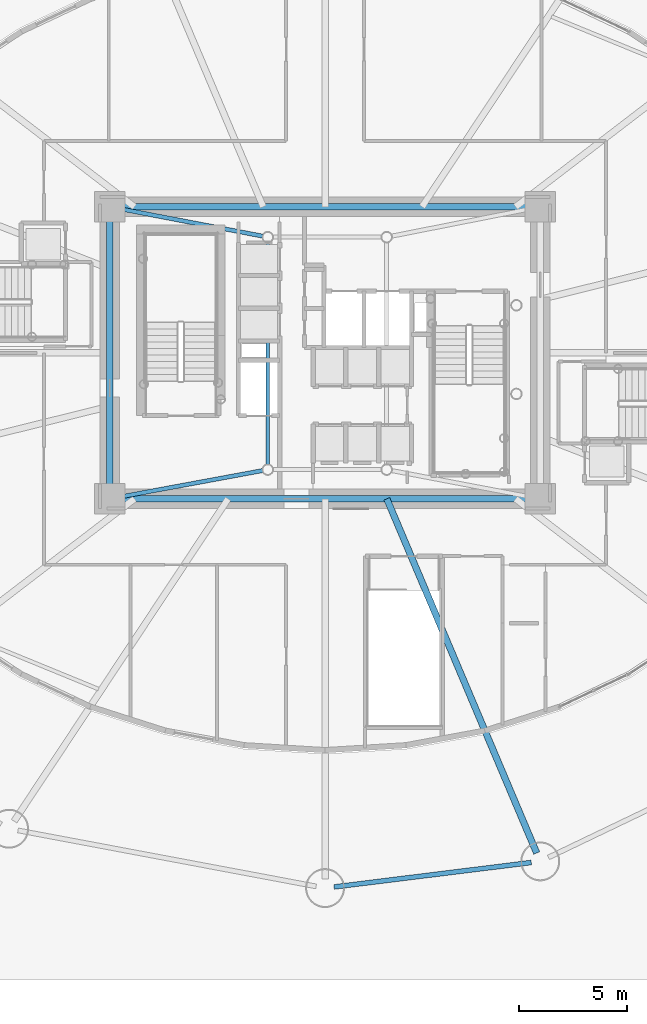
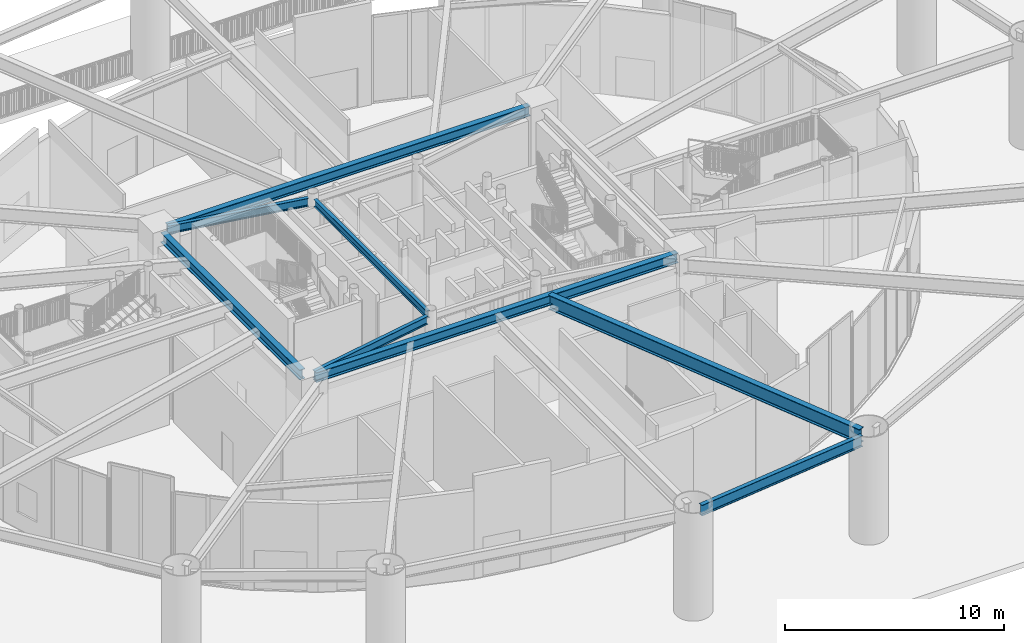
# One storey, part 11 of 46: 8 beams.
"""IFC4 building model written with IfcOpenShell, lengths in metres."""

from ifc_helpers import new_model, si_unit, direction, frame, origin, origin_2d, place, context, subcontext, project, spatial, i_section, extrude, material, material_profile, profile_set, type_object, element, save


model = new_model("IFC4")

# Units and contexts
model_context = context("Model", 3, precision=1e-05, world=origin(), true_north=direction((0.0, 1.0)))
body_context = subcontext(model_context, "Body", "Model", "MODEL_VIEW")
ifc_project = project(units=[si_unit("LENGTHUNIT", "METRE"), si_unit("AREAUNIT", "SQUARE_METRE"), si_unit("VOLUMEUNIT", "CUBIC_METRE"), si_unit("PLANEANGLEUNIT", "RADIAN"), si_unit("MASSUNIT", "GRAM", prefix="KILO")], contexts=[model_context])

# Site, building, storey
site_placement = place(None, origin())
site = spatial("IfcSite", under=ifc_project, at=site_placement, CompositionType="ELEMENT")
building_placement = place(site_placement, origin())
building = spatial("IfcBuilding", under=site, at=building_placement, Name="Linh Dai School and Residence Tower", CompositionType="ELEMENT")
storey_placement = place(building_placement, origin())
storey = spatial("IfcBuildingStorey", under=building, at=storey_placement, Name="L00", CompositionType="ELEMENT", Elevation=0.0)

# Beams
ifc_material = material(Name="Structural Steel S355JR", Category="steel")
ifc_material_profile_1 = material_profile(ifc_material, i_section(OverallWidth=0.219970703125, OverallDepth=0.60009765625, WebThickness=0.011962890625, FlangeThickness=0.01904296875, FilletRadius=0.02392578125, at=origin_2d()), Name="IPE 600")
ifc_profile_set_1 = profile_set([ifc_material_profile_1], Name="Structural Steel S355JR")
beam_type_1 = type_object("IfcBeamType", Name="BM-RB60", PredefinedType="BEAM", material=ifc_profile_set_1)
beam_1_placement = place(storey_placement, frame((36.416748046875, 2.3017578125, 5.39990234375), z_axis=(0.992402470446, 0.123033884169, 0.0), x_axis=(-0.123033884169, 0.992402470446, 0.0)))
element("IfcBeam", 1, at=beam_1_placement, inside=storey, type_object=beam_type_1, Name="L00 Perimeter Elliptical Ring Beam 13", PredefinedType="BEAM", context=body_context, shape_type="SweptSolid", body=[
    extrude(i_section(OverallWidth=0.219970703125, OverallDepth=0.60009765625, WebThickness=0.011962890625, FlangeThickness=0.01904296875, FilletRadius=0.02392578125, at=origin_2d()), origin(), (0.0, 0.0, 1.0), 9.1875),
])
ifc_material_profile_2 = material_profile(ifc_material, i_section(OverallWidth=0.300048828125, OverallDepth=0.550048828125, WebThickness=0.014892578125, FlangeThickness=0.029052734375, FilletRadius=0.027099609375, at=origin_2d()), Name="HEB 550")
ifc_profile_set_2 = profile_set([ifc_material_profile_2], Name="Structural Steel S355JR")
beam_type_2 = type_object("IfcBeamType", Name="BM-RG55", PredefinedType="BEAM", material=ifc_profile_set_2)
for number, where, z_axis, x_axis, name in (
    (2, (26.469970703125, 20.25, 5.425048828125), (1.0, 0.0, 0.0), (0.0, 1.0, 0.0), "L00 Core Perimeter Coupling Girder 1"),
    (3, (45.530029296875, 33.75, 5.425048828125), (-1.0, 0.0, 0.0), (0.0, -1.0, 0.0), "L00 Core Perimeter Coupling Girder 3"),
):
    element("IfcBeam", number, at=place(storey_placement, frame(where, z_axis=z_axis, x_axis=x_axis)), inside=storey, type_object=beam_type_2, Name=name, PredefinedType="BEAM", context=body_context, shape_type="SweptSolid", body=[
        extrude(i_section(OverallWidth=0.300048828125, OverallDepth=0.550048828125, WebThickness=0.014892578125, FlangeThickness=0.029052734375, FilletRadius=0.027099609375, at=origin_2d()), origin(), (0.0, 0.0, 1.0), 19.06005859375),
    ])
beam_2_placement = place(storey_placement, frame((26.050048828125, 33.330078125, 5.425048828125), z_axis=(0.0, -1.0, 0.0), x_axis=(1.0, 0.0, 0.0)))
element("IfcBeam", 4, at=beam_2_placement, inside=storey, type_object=beam_type_2, Name="L00 Core Perimeter Coupling Girder 4", PredefinedType="BEAM", context=body_context, shape_type="SweptSolid", body=[
    extrude(i_section(OverallWidth=0.300048828125, OverallDepth=0.550048828125, WebThickness=0.014892578125, FlangeThickness=0.029052734375, FilletRadius=0.027099609375, at=origin_2d()), origin(), (0.0, 0.0, 1.0), 12.66015625),
])
ifc_material_profile_3 = material_profile(ifc_material, i_section(OverallWidth=0.300048828125, OverallDepth=0.800048828125, WebThickness=0.017578125, FlangeThickness=0.032958984375, FilletRadius=0.030029296875, at=origin_2d()), Name="HEB 800")
ifc_profile_set_3 = profile_set([ifc_material_profile_3], Name="Structural Steel S355JR")
beam_type_3 = type_object("IfcBeamType", Name="BM-RG8", PredefinedType="BEAM", material=ifc_profile_set_3)
beam_3_placement = place(storey_placement, frame((38.8564453125, 20.25, 5.300048828125), z_axis=(0.389695518128, -0.920943756779, 0.0), x_axis=(0.920943756779, 0.389695518128, 0.0)))
element("IfcBeam", 5, at=beam_3_placement, inside=storey, type_object=beam_type_3, Name="L00 Primary Radial Floor Girder 14", PredefinedType="BEAM", context=body_context, shape_type="SweptSolid", body=[
    extrude(i_section(OverallWidth=0.300048828125, OverallDepth=0.800048828125, WebThickness=0.017578125, FlangeThickness=0.032958984375, FilletRadius=0.030029296875, at=origin_2d()), origin(), (0.0, 0.0, 1.0), 17.785400390625),
])
ifc_material_profile_4 = material_profile(ifc_material, i_section(OverallWidth=0.179931640625, OverallDepth=0.39990234375, WebThickness=0.008544921875, FlangeThickness=0.013427734375, FilletRadius=0.02099609375, at=origin_2d()), Name="IPE 400")
ifc_profile_set_4 = profile_set([ifc_material_profile_4], Name="Structural Steel S355JR")
beam_type_4 = type_object("IfcBeamType", Name="BM-SB40", PredefinedType="BEAM", material=ifc_profile_set_4)
beam_4_placement = place(storey_placement, frame((33.35009765625, 32.1259765625, 5.5), z_axis=(0.0, -1.0, 0.0), x_axis=(1.0, 0.0, 0.0)))
element("IfcBeam", 6, at=beam_4_placement, inside=storey, type_object=beam_type_4, Name="L00 Core Mast Pier Tie Beam 4", PredefinedType="BEAM", context=body_context, shape_type="SweptSolid", body=[
    extrude(i_section(OverallWidth=0.179931640625, OverallDepth=0.39990234375, WebThickness=0.008544921875, FlangeThickness=0.013427734375, FilletRadius=0.02099609375, at=origin_2d()), origin(), (0.0, 0.0, 1.0), 10.302001953125),
])
ifc_material_profile_5 = material_profile(ifc_material, i_section(OverallWidth=0.18994140625, OverallDepth=0.449951171875, WebThickness=0.009521484375, FlangeThickness=0.0146484375, FilletRadius=0.02099609375, at=origin_2d()), Name="IPE 450")
ifc_profile_set_5 = profile_set([ifc_material_profile_5], Name="Structural Steel S355JR")
beam_type_5 = type_object("IfcBeamType", Name="BM-SB45", PredefinedType="BEAM", material=ifc_profile_set_5)
beam_5_placement = place(storey_placement, frame((26.462890625, 20.326416015625, 5.47509765625), z_axis=(0.983326152819, 0.18185070025, 0.0), x_axis=(-0.18185070025, 0.983326152819, 0.0)))
element("IfcBeam", 7, at=beam_5_placement, inside=storey, type_object=beam_type_5, Name="L00 Core Corner-to-Mast Pier Beam 1", PredefinedType="BEAM", context=body_context, shape_type="SweptSolid", body=[
    extrude(i_section(OverallWidth=0.18994140625, OverallDepth=0.449951171875, WebThickness=0.009521484375, FlangeThickness=0.0146484375, FilletRadius=0.02099609375, at=origin_2d()), origin(), (0.0, 0.0, 1.0), 6.77978515625),
])
beam_6_placement = place(storey_placement, frame((26.46240234375, 33.6708984375, 5.47509765625), z_axis=(0.982100456787, -0.188357884832, 0.0), x_axis=(0.188357884832, 0.982100456787, 0.0)))
element("IfcBeam", 8, at=beam_6_placement, inside=storey, type_object=beam_type_5, Name="L00 Core Corner-to-Mast Pier Beam 4", PredefinedType="BEAM", context=body_context, shape_type="SweptSolid", body=[
    extrude(i_section(OverallWidth=0.18994140625, OverallDepth=0.449951171875, WebThickness=0.009521484375, FlangeThickness=0.0146484375, FilletRadius=0.02099609375, at=origin_2d()), origin(), (0.0, 0.0, 1.0), 6.789306640625),
])

save(model, "model.ifc")
